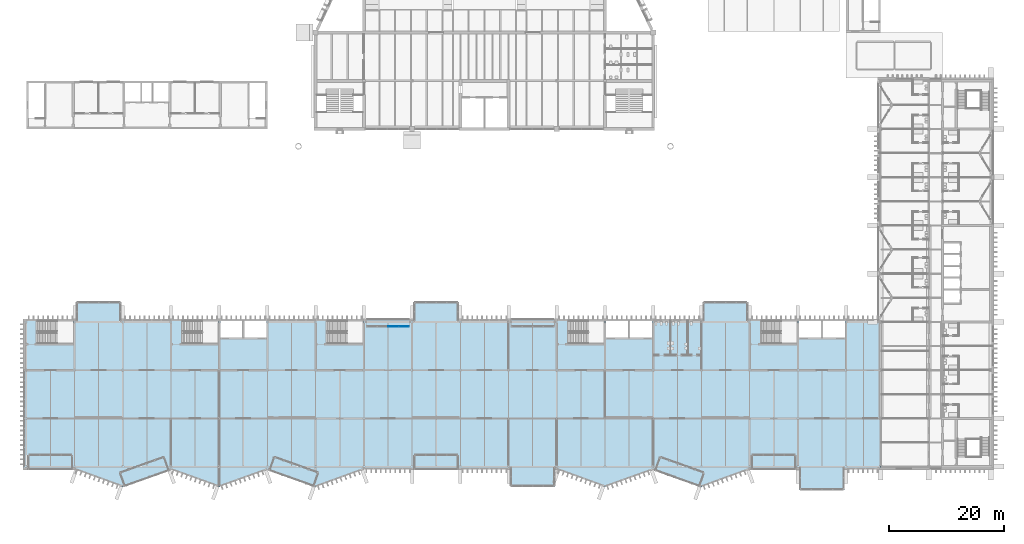
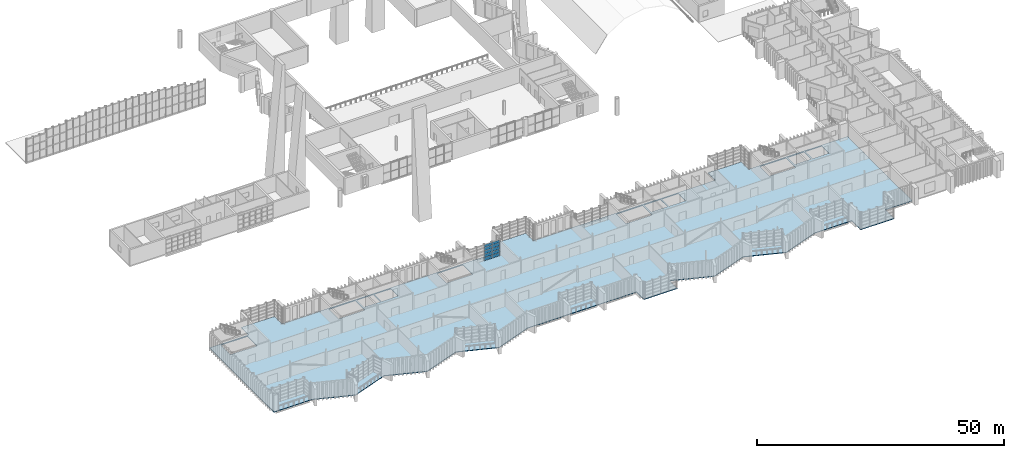
# One storey, part 49 of 100: 10 plates, 1 slab, 1 element without a shape of its own.
"""IFC4 building model written with IfcOpenShell, lengths in metres."""

from ifc_helpers import new_model, si_unit, direction, frame, origin, origin_2d, place, context, subcontext, project, spatial, polyline, rectangle, outline, extrude, material, layer, layer_set, type_object, element, aggregate, save


model = new_model("IFC4")

# Units and contexts
model_context = context("Model", 3, precision=1e-05, world=origin(), true_north=direction((0.0, 1.0)))
body_context = subcontext(model_context, "Body", "Model", "MODEL_VIEW")
ifc_project = project(units=[si_unit("LENGTHUNIT", "METRE"), si_unit("AREAUNIT", "SQUARE_METRE"), si_unit("VOLUMEUNIT", "CUBIC_METRE"), si_unit("PLANEANGLEUNIT", "RADIAN"), si_unit("MASSUNIT", "GRAM", prefix="KILO")], contexts=[model_context])

# Site, building, storey
site_placement = place(None, origin())
site = spatial("IfcSite", under=ifc_project, at=site_placement, CompositionType="ELEMENT")
building_placement = place(site_placement, origin())
building = spatial("IfcBuilding", under=site, at=building_placement, Name="Cresset Court Congress Hotel", CompositionType="ELEMENT")
storey_placement = place(building_placement, frame((0.0, 0.0, 10.199951171875)))
storey = spatial("IfcBuildingStorey", under=building, at=storey_placement, Name="L02", CompositionType="ELEMENT", Elevation=10.199951171875)

# Curtain wall, plates
ifc_material_1 = material(Name="Aluminium frame with double glazing", Category="aluminium")
ifc_layer_1 = layer(ifc_material_1, 0.199951171875)
ifc_layer_set_1 = layer_set([ifc_layer_1], Name="Glazed box curtain wall 1680 module")
curtain_wall_type = type_object("IfcCurtainWallType", Name="Glazed box curtain wall 1680 module", PredefinedType="NOTDEFINED", material=ifc_layer_set_1)
curtain_wall_placement = place(storey_placement, origin())
curtain_wall = element("IfcCurtainWall", 1, at=curtain_wall_placement, inside=storey, type_object=curtain_wall_type, Name="Glazed box N0226 front", PredefinedType="NOTDEFINED")
ifc_material_2 = material(Name="Toughened double glazing", Category="glass")
ifc_layer_2 = layer(ifc_material_2, 0.028076171875)
ifc_layer_set_2 = layer_set([ifc_layer_2], Name="Box glass panel 28")
plate_type_1 = type_object("IfcPlateType", Name="Box glass panel 28", PredefinedType="CURTAIN_PANEL", material=ifc_layer_set_2)
plate_1_placement = place(storey_placement, frame((72.324951171875, 24.39990234375, 0.06005859375), z_axis=(0.0, 0.0, 1.0), x_axis=(1.0, 0.0, 0.0)))
plate_1 = element("IfcPlate", 2, at=plate_1_placement, type_object=plate_type_1, Name="B-X1 panel 3.1", PredefinedType="CURTAIN_PANEL", context=body_context, shape_type="SweptSolid", body=[
    extrude(rectangle(XDim=1.7900390625, YDim=0.028076171875, at=origin_2d()), origin(), (0.0, 0.0, 1.0), 0.739990234375),
])
plate_2_placement = place(storey_placement, frame((72.324951171875, 24.39990234375, 0.860107421875), z_axis=(0.0, 0.0, 1.0), x_axis=(1.0, 0.0, 0.0)))
plate_2 = element("IfcPlate", 3, at=plate_2_placement, type_object=plate_type_1, Name="B-X1 panel 3.2", PredefinedType="CURTAIN_PANEL", context=body_context, shape_type="SweptSolid", body=[
    extrude(rectangle(XDim=1.7900390625, YDim=0.028076171875, at=origin_2d()), origin(), (0.0, 0.0, 1.0), 0.77001953125),
])
plate_3_placement = place(storey_placement, frame((72.324951171875, 24.39990234375, 1.68994140625), z_axis=(0.0, 0.0, 1.0), x_axis=(1.0, 0.0, 0.0)))
plate_3 = element("IfcPlate", 4, at=plate_3_placement, type_object=plate_type_1, Name="B-X1 panel 3.3", PredefinedType="CURTAIN_PANEL", context=body_context, shape_type="SweptSolid", body=[
    extrude(rectangle(XDim=1.7900390625, YDim=0.028076171875, at=origin_2d()), origin(), (0.0, 0.0, 1.0), 0.77001953125),
])
plate_4_placement = place(storey_placement, frame((72.324951171875, 24.39990234375, 2.52001953125), z_axis=(0.0, 0.0, 1.0), x_axis=(1.0, 0.0, 0.0)))
plate_4 = element("IfcPlate", 5, at=plate_4_placement, type_object=plate_type_1, Name="B-X1 panel 3.4", PredefinedType="CURTAIN_PANEL", context=body_context, shape_type="SweptSolid", body=[
    extrude(rectangle(XDim=1.7900390625, YDim=0.028076171875, at=origin_2d()), origin(), (0.0, 0.0, 1.0), 0.77001953125),
])
plate_5_placement = place(storey_placement, frame((74.159912109375, 24.39990234375, 0.06005859375), z_axis=(0.0, 0.0, 1.0), x_axis=(1.0, 0.0, 0.0)))
plate_5 = element("IfcPlate", 6, at=plate_5_placement, type_object=plate_type_1, Name="B-X1 panel 4.1", PredefinedType="CURTAIN_PANEL", context=body_context, shape_type="SweptSolid", body=[
    extrude(rectangle(XDim=1.760009765625, YDim=0.028076171875, at=origin_2d()), origin(), (0.0, 0.0, 1.0), 0.739990234375),
])
plate_6_placement = place(storey_placement, frame((74.159912109375, 24.39990234375, 0.860107421875), z_axis=(0.0, 0.0, 1.0), x_axis=(1.0, 0.0, 0.0)))
plate_6 = element("IfcPlate", 7, at=plate_6_placement, type_object=plate_type_1, Name="B-X1 panel 4.2", PredefinedType="CURTAIN_PANEL", context=body_context, shape_type="SweptSolid", body=[
    extrude(rectangle(XDim=1.760009765625, YDim=0.028076171875, at=origin_2d()), origin(), (0.0, 0.0, 1.0), 0.77001953125),
])
plate_7_placement = place(storey_placement, frame((74.159912109375, 24.39990234375, 1.68994140625), z_axis=(0.0, 0.0, 1.0), x_axis=(1.0, 0.0, 0.0)))
plate_7 = element("IfcPlate", 8, at=plate_7_placement, type_object=plate_type_1, Name="B-X1 panel 4.3", PredefinedType="CURTAIN_PANEL", context=body_context, shape_type="SweptSolid", body=[
    extrude(rectangle(XDim=1.760009765625, YDim=0.028076171875, at=origin_2d()), origin(), (0.0, 0.0, 1.0), 0.77001953125),
])
plate_8_placement = place(storey_placement, frame((74.159912109375, 24.39990234375, 2.52001953125), z_axis=(0.0, 0.0, 1.0), x_axis=(1.0, 0.0, 0.0)))
plate_8 = element("IfcPlate", 9, at=plate_8_placement, type_object=plate_type_1, Name="B-X1 panel 4.4", PredefinedType="CURTAIN_PANEL", context=body_context, shape_type="SweptSolid", body=[
    extrude(rectangle(XDim=1.760009765625, YDim=0.028076171875, at=origin_2d()), origin(), (0.0, 0.0, 1.0), 0.77001953125),
])
ifc_material_3 = material(Name="Insulated aluminium spandrel panel", Category="aluminium")
ifc_layer_3 = layer(ifc_material_3, 0.0400390625)
ifc_layer_set_3 = layer_set([ifc_layer_3], Name="Box spandrel panel 40")
plate_type_2 = type_object("IfcPlateType", Name="Box spandrel panel 40", PredefinedType="CURTAIN_PANEL", material=ifc_layer_set_3)
plate_9_placement = place(storey_placement, frame((72.324951171875, 24.39990234375, 3.35009765625), z_axis=(0.0, 0.0, 1.0), x_axis=(1.0, 0.0, 0.0)))
plate_9 = element("IfcPlate", 10, at=plate_9_placement, type_object=plate_type_2, Name="B-X1 spandrel panel 3.5", PredefinedType="CURTAIN_PANEL", context=body_context, shape_type="SweptSolid", body=[
    extrude(rectangle(XDim=1.7900390625, YDim=0.0400390625, at=origin_2d()), origin(), (0.0, 0.0, 1.0), 0.639892578125),
])
plate_10_placement = place(storey_placement, frame((74.159912109375, 24.39990234375, 3.35009765625), z_axis=(0.0, 0.0, 1.0), x_axis=(1.0, 0.0, 0.0)))
plate_10 = element("IfcPlate", 11, at=plate_10_placement, type_object=plate_type_2, Name="B-X1 spandrel panel 4.5", PredefinedType="CURTAIN_PANEL", context=body_context, shape_type="SweptSolid", body=[
    extrude(rectangle(XDim=1.760009765625, YDim=0.0400390625, at=origin_2d()), origin(), (0.0, 0.0, 1.0), 0.639892578125),
])
aggregate(curtain_wall, [plate_1, plate_2, plate_3, plate_4, plate_9, plate_5, plate_6, plate_7, plate_8, plate_10])

# Slab
ifc_material_4 = material(Name="Concrete C35", Category="concrete")
ifc_layer_4 = layer(ifc_material_4, 0.14990234375)
ifc_layer_set_4 = layer_set([ifc_layer_4], Name="Composite deck slab 150")
slab_type = type_object("IfcSlabType", Name="Composite deck slab 150", PredefinedType="FLOOR", material=ifc_layer_set_4)
slab_placement = place(storey_placement, frame((0.0, 0.0, -0.14990234375)))
element("IfcSlab", 12, at=slab_placement, inside=storey, type_object=slab_type, Name="Floor slab L02", PredefinedType="FLOOR", context=body_context, shape_type="SweptSolid", body=[
    extrude(outline(polyline([(143.10009765625, -0.5), (134.39990234375, -0.5), (126.0, -3.550048828125), (117.60009765625, -0.550048828125), (109.199951171875, -3.550048828125), (100.800048828125, -0.5), (100.5, -0.5), (100.5, -3.5), (92.699951171875, -3.5), (92.699951171875, -0.5), (67.199951171875, -0.5), (58.800048828125, -3.550048828125), (50.39990234375, -0.550048828125), (42.0, -3.550048828125), (33.60009765625, -0.550048828125), (25.199951171875, -3.550048828125), (16.800048828125, -0.5), (7.89990234375, -0.5), (7.89990234375, 25.699951171875), (17.10009765625, 25.699951171875), (17.10009765625, 28.699951171875), (24.89990234375, 28.699951171875), (24.89990234375, 25.699951171875), (75.89990234375, 25.699951171875), (75.89990234375, 28.699951171875), (83.699951171875, 28.699951171875), (83.699951171875, 25.699951171875), (126.300048828125, 25.699951171875), (126.300048828125, 28.699951171875), (134.10009765625, 28.699951171875), (134.10009765625, 25.699951171875), (157.199951171875, 25.699951171875), (157.199951171875, -0.5), (150.89990234375, -0.5), (150.89990234375, -4.10009765625), (143.10009765625, -4.10009765625), (143.10009765625, -0.5)]), holes=[polyline([(10.380859375, 21.449951171875), (16.64990234375, 21.449951171875), (16.64990234375, 25.39990234375), (10.380859375, 25.39990234375), (10.380859375, 21.449951171875)]), polyline([(35.70068359375, 21.449951171875), (41.85009765625, 21.449951171875), (41.85009765625, 25.39990234375), (35.70068359375, 25.39990234375), (35.70068359375, 21.449951171875)]), polyline([(60.90087890625, 21.449951171875), (67.050048828125, 21.449951171875), (67.050048828125, 25.39990234375), (60.90087890625, 25.39990234375), (60.90087890625, 21.449951171875)]), polyline([(102.90087890625, 21.449951171875), (109.050048828125, 21.449951171875), (109.050048828125, 25.39990234375), (102.90087890625, 25.39990234375), (102.90087890625, 21.449951171875)]), polyline([(136.500732421875, 21.449951171875), (142.64990234375, 21.449951171875), (142.64990234375, 25.39990234375), (136.500732421875, 25.39990234375), (136.500732421875, 21.449951171875)]), polyline([(42.199951171875, 22.449951171875), (46.050048828125, 22.449951171875), (46.050048828125, 25.39990234375), (42.199951171875, 25.39990234375), (42.199951171875, 22.449951171875)]), polyline([(46.35009765625, 22.449951171875), (50.199951171875, 22.449951171875), (50.199951171875, 25.39990234375), (46.35009765625, 25.39990234375), (46.35009765625, 22.449951171875)]), polyline([(109.39990234375, 22.449951171875), (113.25, 22.449951171875), (113.25, 25.39990234375), (109.39990234375, 25.39990234375), (109.39990234375, 22.449951171875)]), polyline([(113.550048828125, 22.449951171875), (117.39990234375, 22.449951171875), (117.39990234375, 25.39990234375), (113.550048828125, 25.39990234375), (113.550048828125, 22.449951171875)]), polyline([(143.0, 22.449951171875), (146.85009765625, 22.449951171875), (146.85009765625, 25.39990234375), (143.0, 25.39990234375), (143.0, 22.449951171875)]), polyline([(147.14990234375, 22.449951171875), (151.0, 22.449951171875), (151.0, 25.39990234375), (147.14990234375, 25.39990234375), (147.14990234375, 22.449951171875)])]), origin(), (0.0, 0.0, 1.0), 0.14990234375),
])

save(model, "model.ifc")
